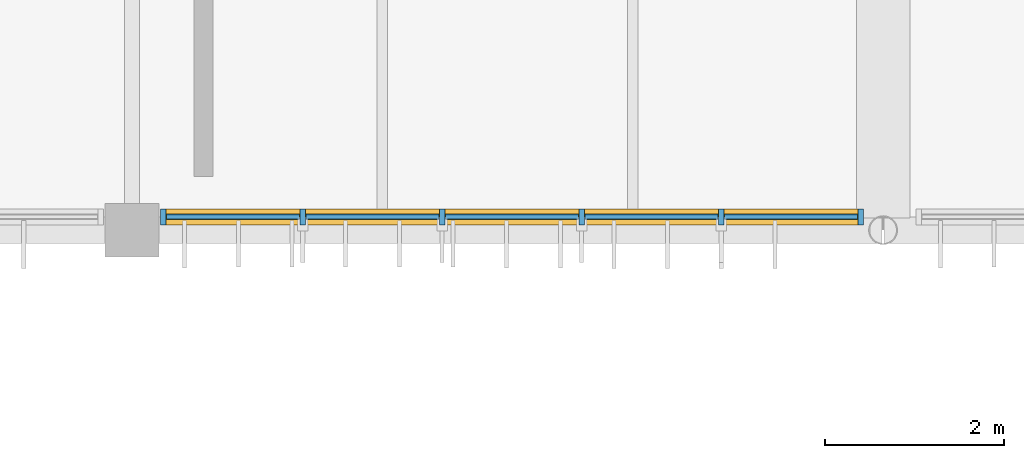
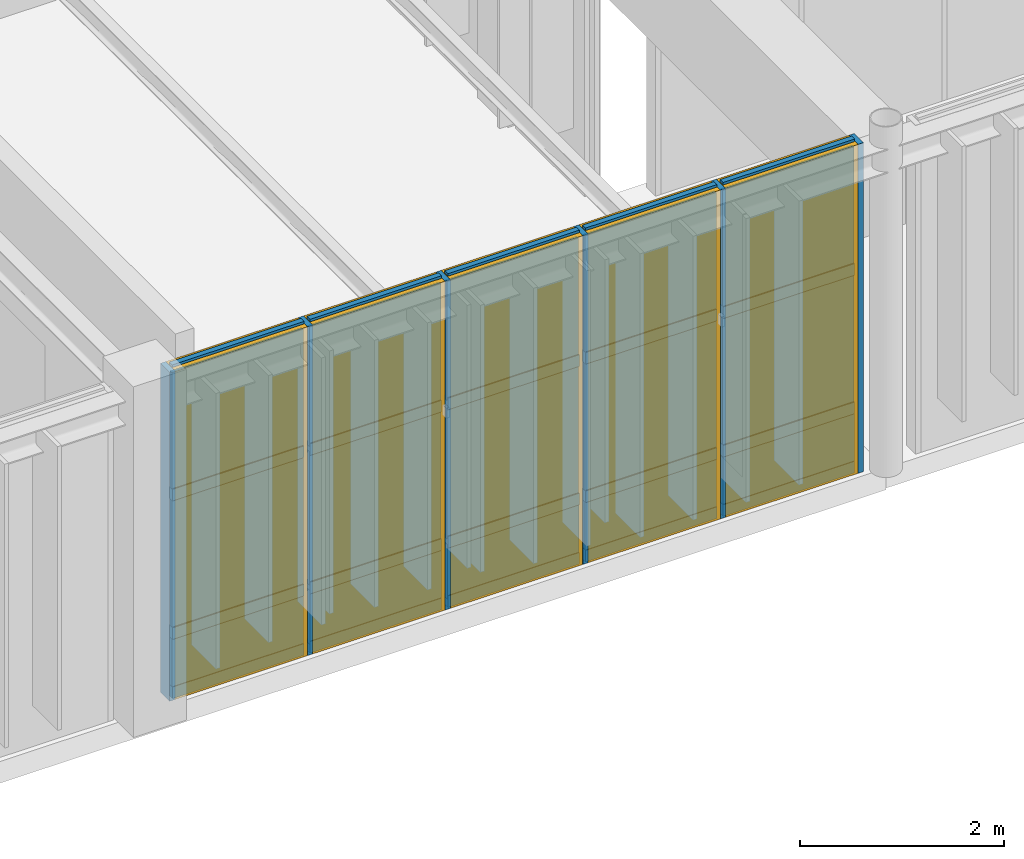
# One storey, part 68 of 122: 26 members, 15 plates, 1 curtain wall.
"""IFC4 building model written with IfcOpenShell, lengths in metres."""

from ifc_helpers import new_model, si_unit, direction, frame, frame_2d, origin, origin_2d, place, context, subcontext, project, spatial, rectangle, extrude, material, layer, layer_set, material_profile, profile_set, type_object, element, aggregate, save


model = new_model("IFC4")

# Units and contexts
model_context = context("Model", 3, precision=1e-05, world=origin(), true_north=direction((0.0, 1.0)))
body_context = subcontext(model_context, "Body", "Model", "MODEL_VIEW")
ifc_project = project(units=[si_unit("LENGTHUNIT", "METRE"), si_unit("AREAUNIT", "SQUARE_METRE"), si_unit("VOLUMEUNIT", "CUBIC_METRE"), si_unit("PLANEANGLEUNIT", "RADIAN"), si_unit("MASSUNIT", "GRAM", prefix="KILO")], contexts=[model_context])

# Member
ifc_material_1 = material(Name="Anodised Bronze Aluminium 6063-T6", Category="aluminium")
ifc_material_profile_1 = material_profile(ifc_material_1, rectangle(XDim=0.06005859375, YDim=0.179931640625, at=origin_2d()), Name="ALU MULLION 60x180")
ifc_profile_set_1 = profile_set([ifc_material_profile_1], Name="Anodised Bronze Aluminium 6063-T6")
member_type_1 = type_object("IfcMemberType", Name="Curtain-Wall Primary Mullion 60x180", PredefinedType="MULLION", material=ifc_profile_set_1)
site_placement = place(None, origin())
building_placement = place(site_placement, origin())
storey_placement = place(building_placement, frame((0.0, 0.0, 4.800048828125)))
member_1_placement = place(storey_placement, frame((19.550048828125, 44.75, 0.0), z_axis=(0.0, 0.0, 1.0), x_axis=(1.0, 0.0, 0.0)))
member_1 = element("IfcMember", 1, at=member_1_placement, type_object=member_type_1, Name="Mullion CWM-01 CW-V6-S-L01-B3-M01", PredefinedType="MULLION", context=body_context, shape_type="SweptSolid", body=[
    extrude(rectangle(XDim=0.06005859375, YDim=0.179931640625, at=origin_2d()), origin(), (0.0, 0.0, 1.0), 3.93994140625),
])

member_2_placement = place(storey_placement, frame((21.110107421875, 44.75, 0.0), z_axis=(0.0, 0.0, 1.0), x_axis=(1.0, 0.0, 0.0)))
member_2 = element("IfcMember", 2, at=member_2_placement, type_object=member_type_1, Name="Mullion CWM-01 CW-V6-S-L01-B3-M02", PredefinedType="MULLION", context=body_context, shape_type="SweptSolid", body=[
    extrude(rectangle(XDim=0.06005859375, YDim=0.179931640625, at=origin_2d()), origin(), (0.0, 0.0, 1.0), 3.93994140625),
])

member_3_placement = place(storey_placement, frame((22.669921875, 44.75, 0.0), z_axis=(0.0, 0.0, 1.0), x_axis=(1.0, 0.0, 0.0)))
member_3 = element("IfcMember", 3, at=member_3_placement, type_object=member_type_1, Name="Mullion CWM-01 CW-V6-S-L01-B3-M03", PredefinedType="MULLION", context=body_context, shape_type="SweptSolid", body=[
    extrude(rectangle(XDim=0.06005859375, YDim=0.179931640625, at=origin_2d()), origin(), (0.0, 0.0, 1.0), 3.93994140625),
])

member_4_placement = place(storey_placement, frame((24.22998046875, 44.75, 0.0), z_axis=(0.0, 0.0, 1.0), x_axis=(1.0, 0.0, 0.0)))
member_4 = element("IfcMember", 4, at=member_4_placement, type_object=member_type_1, Name="Mullion CWM-01 CW-V6-S-L01-B3-M04", PredefinedType="MULLION", context=body_context, shape_type="SweptSolid", body=[
    extrude(rectangle(XDim=0.06005859375, YDim=0.179931640625, at=origin_2d()), origin(), (0.0, 0.0, 1.0), 3.93994140625),
])

member_5_placement = place(storey_placement, frame((25.7900390625, 44.75, 0.0), z_axis=(0.0, 0.0, 1.0), x_axis=(1.0, 0.0, 0.0)))
member_5 = element("IfcMember", 5, at=member_5_placement, type_object=member_type_1, Name="Mullion CWM-01 CW-V6-S-L01-B3-M05", PredefinedType="MULLION", context=body_context, shape_type="SweptSolid", body=[
    extrude(rectangle(XDim=0.06005859375, YDim=0.179931640625, at=origin_2d()), origin(), (0.0, 0.0, 1.0), 3.93994140625),
])

member_6_placement = place(storey_placement, frame((27.35009765625, 44.75, 0.0), z_axis=(0.0, 0.0, 1.0), x_axis=(1.0, 0.0, 0.0)))
member_6 = element("IfcMember", 6, at=member_6_placement, type_object=member_type_1, Name="Mullion CWM-01 CW-V6-S-L01-B3-M06", PredefinedType="MULLION", context=body_context, shape_type="SweptSolid", body=[
    extrude(rectangle(XDim=0.06005859375, YDim=0.179931640625, at=origin_2d()), origin(), (0.0, 0.0, 1.0), 3.93994140625),
])

ifc_material_profile_2 = material_profile(ifc_material_1, rectangle(XDim=0.06005859375, YDim=0.139892578125, at=origin_2d()), Name="ALU TRANSOM 60x140")
ifc_profile_set_2 = profile_set([ifc_material_profile_2], Name="Anodised Bronze Aluminium 6063-T6")
member_type_2 = type_object("IfcMemberType", Name="Curtain-Wall Transom 60x140", PredefinedType="USERDEFINED", material=ifc_profile_set_2)
member_7_placement = place(storey_placement, frame((19.5849609375, 44.75, 0.0400390625), z_axis=(1.0, 0.0, 0.0), x_axis=(0.0, 1.0, 0.0)))
member_7 = element("IfcMember", 7, at=member_7_placement, type_object=member_type_2, Name="Transom CWT-01 CW-V6-S-L01-B3-T01.1", ObjectType="TRANSOM", PredefinedType="USERDEFINED", context=body_context, shape_type="SweptSolid", body=[
    extrude(rectangle(XDim=0.06005859375, YDim=0.139892578125, at=origin_2d()), origin(), (0.0, 0.0, 1.0), 1.489990234375),
])

member_8_placement = place(storey_placement, frame((19.5849609375, 44.75, 0.75), z_axis=(1.0, 0.0, 0.0), x_axis=(0.0, 1.0, 0.0)))
member_8 = element("IfcMember", 8, at=member_8_placement, type_object=member_type_2, Name="Transom CWT-01 CW-V6-S-L01-B3-T01.2", ObjectType="TRANSOM", PredefinedType="USERDEFINED", context=body_context, shape_type="SweptSolid", body=[
    extrude(rectangle(XDim=0.06005859375, YDim=0.139892578125, at=origin_2d()), origin(), (0.0, 0.0, 1.0), 1.489990234375),
])

member_9_placement = place(storey_placement, frame((19.5849609375, 44.75, 2.40869140625), z_axis=(1.0, 0.0, 0.0), x_axis=(0.0, 1.0, 0.0)))
member_9 = element("IfcMember", 9, at=member_9_placement, type_object=member_type_2, Name="Transom CWT-01 CW-V6-S-L01-B3-T01.3", ObjectType="TRANSOM", PredefinedType="USERDEFINED", context=body_context, shape_type="SweptSolid", body=[
    extrude(rectangle(XDim=0.06005859375, YDim=0.139892578125, at=origin_2d()), origin(), (0.0, 0.0, 1.0), 1.489990234375),
])

member_10_placement = place(storey_placement, frame((19.5849609375, 44.75, 3.89990234375), z_axis=(1.0, 0.0, 0.0), x_axis=(0.0, 1.0, 0.0)))
member_10 = element("IfcMember", 10, at=member_10_placement, type_object=member_type_2, Name="Transom CWT-01 CW-V6-S-L01-B3-T01.4", ObjectType="TRANSOM", PredefinedType="USERDEFINED", context=body_context, shape_type="SweptSolid", body=[
    extrude(rectangle(XDim=0.06005859375, YDim=0.139892578125, at=origin_2d()), origin(), (0.0, 0.0, 1.0), 1.489990234375),
])

member_11_placement = place(storey_placement, frame((21.14501953125, 44.75, 0.0400390625), z_axis=(1.0, 0.0, 0.0), x_axis=(0.0, 1.0, 0.0)))
member_11 = element("IfcMember", 11, at=member_11_placement, type_object=member_type_2, Name="Transom CWT-01 CW-V6-S-L01-B3-T02.1", ObjectType="TRANSOM", PredefinedType="USERDEFINED", context=body_context, shape_type="SweptSolid", body=[
    extrude(rectangle(XDim=0.06005859375, YDim=0.139892578125, at=origin_2d()), origin(), (0.0, 0.0, 1.0), 1.489990234375),
])

member_12_placement = place(storey_placement, frame((21.14501953125, 44.75, 0.75), z_axis=(1.0, 0.0, 0.0), x_axis=(0.0, 1.0, 0.0)))
member_12 = element("IfcMember", 12, at=member_12_placement, type_object=member_type_2, Name="Transom CWT-01 CW-V6-S-L01-B3-T02.2", ObjectType="TRANSOM", PredefinedType="USERDEFINED", context=body_context, shape_type="SweptSolid", body=[
    extrude(rectangle(XDim=0.06005859375, YDim=0.139892578125, at=origin_2d()), origin(), (0.0, 0.0, 1.0), 1.489990234375),
])

member_13_placement = place(storey_placement, frame((21.14501953125, 44.75, 2.40869140625), z_axis=(1.0, 0.0, 0.0), x_axis=(0.0, 1.0, 0.0)))
member_13 = element("IfcMember", 13, at=member_13_placement, type_object=member_type_2, Name="Transom CWT-01 CW-V6-S-L01-B3-T02.3", ObjectType="TRANSOM", PredefinedType="USERDEFINED", context=body_context, shape_type="SweptSolid", body=[
    extrude(rectangle(XDim=0.06005859375, YDim=0.139892578125, at=origin_2d()), origin(), (0.0, 0.0, 1.0), 1.489990234375),
])

member_14_placement = place(storey_placement, frame((21.14501953125, 44.75, 3.89990234375), z_axis=(1.0, 0.0, 0.0), x_axis=(0.0, 1.0, 0.0)))
member_14 = element("IfcMember", 14, at=member_14_placement, type_object=member_type_2, Name="Transom CWT-01 CW-V6-S-L01-B3-T02.4", ObjectType="TRANSOM", PredefinedType="USERDEFINED", context=body_context, shape_type="SweptSolid", body=[
    extrude(rectangle(XDim=0.06005859375, YDim=0.139892578125, at=origin_2d()), origin(), (0.0, 0.0, 1.0), 1.489990234375),
])

member_15_placement = place(storey_placement, frame((22.705078125, 44.75, 0.0400390625), z_axis=(1.0, 0.0, 0.0), x_axis=(0.0, 1.0, 0.0)))
member_15 = element("IfcMember", 15, at=member_15_placement, type_object=member_type_2, Name="Transom CWT-01 CW-V6-S-L01-B3-T03.1", ObjectType="TRANSOM", PredefinedType="USERDEFINED", context=body_context, shape_type="SweptSolid", body=[
    extrude(rectangle(XDim=0.06005859375, YDim=0.139892578125, at=origin_2d()), origin(), (0.0, 0.0, 1.0), 1.489990234375),
])

member_16_placement = place(storey_placement, frame((22.705078125, 44.75, 0.75), z_axis=(1.0, 0.0, 0.0), x_axis=(0.0, 1.0, 0.0)))
member_16 = element("IfcMember", 16, at=member_16_placement, type_object=member_type_2, Name="Transom CWT-01 CW-V6-S-L01-B3-T03.2", ObjectType="TRANSOM", PredefinedType="USERDEFINED", context=body_context, shape_type="SweptSolid", body=[
    extrude(rectangle(XDim=0.06005859375, YDim=0.139892578125, at=origin_2d()), origin(), (0.0, 0.0, 1.0), 1.489990234375),
])

member_17_placement = place(storey_placement, frame((22.705078125, 44.75, 2.40869140625), z_axis=(1.0, 0.0, 0.0), x_axis=(0.0, 1.0, 0.0)))
member_17 = element("IfcMember", 17, at=member_17_placement, type_object=member_type_2, Name="Transom CWT-01 CW-V6-S-L01-B3-T03.3", ObjectType="TRANSOM", PredefinedType="USERDEFINED", context=body_context, shape_type="SweptSolid", body=[
    extrude(rectangle(XDim=0.06005859375, YDim=0.139892578125, at=origin_2d()), origin(), (0.0, 0.0, 1.0), 1.489990234375),
])

member_18_placement = place(storey_placement, frame((22.705078125, 44.75, 3.89990234375), z_axis=(1.0, 0.0, 0.0), x_axis=(0.0, 1.0, 0.0)))
member_18 = element("IfcMember", 18, at=member_18_placement, type_object=member_type_2, Name="Transom CWT-01 CW-V6-S-L01-B3-T03.4", ObjectType="TRANSOM", PredefinedType="USERDEFINED", context=body_context, shape_type="SweptSolid", body=[
    extrude(rectangle(XDim=0.06005859375, YDim=0.139892578125, at=origin_2d()), origin(), (0.0, 0.0, 1.0), 1.489990234375),
])

member_19_placement = place(storey_placement, frame((24.264892578125, 44.75, 0.0400390625), z_axis=(1.0, 0.0, 0.0), x_axis=(0.0, 1.0, 0.0)))
member_19 = element("IfcMember", 19, at=member_19_placement, type_object=member_type_2, Name="Transom CWT-01 CW-V6-S-L01-B3-T04.1", ObjectType="TRANSOM", PredefinedType="USERDEFINED", context=body_context, shape_type="SweptSolid", body=[
    extrude(rectangle(XDim=0.06005859375, YDim=0.139892578125, at=origin_2d()), origin(), (0.0, 0.0, 1.0), 1.489990234375),
])

member_20_placement = place(storey_placement, frame((24.264892578125, 44.75, 0.75), z_axis=(1.0, 0.0, 0.0), x_axis=(0.0, 1.0, 0.0)))
member_20 = element("IfcMember", 20, at=member_20_placement, type_object=member_type_2, Name="Transom CWT-01 CW-V6-S-L01-B3-T04.2", ObjectType="TRANSOM", PredefinedType="USERDEFINED", context=body_context, shape_type="SweptSolid", body=[
    extrude(rectangle(XDim=0.06005859375, YDim=0.139892578125, at=origin_2d()), origin(), (0.0, 0.0, 1.0), 1.489990234375),
])

member_21_placement = place(storey_placement, frame((24.264892578125, 44.75, 2.40869140625), z_axis=(1.0, 0.0, 0.0), x_axis=(0.0, 1.0, 0.0)))
member_21 = element("IfcMember", 21, at=member_21_placement, type_object=member_type_2, Name="Transom CWT-01 CW-V6-S-L01-B3-T04.3", ObjectType="TRANSOM", PredefinedType="USERDEFINED", context=body_context, shape_type="SweptSolid", body=[
    extrude(rectangle(XDim=0.06005859375, YDim=0.139892578125, at=origin_2d()), origin(), (0.0, 0.0, 1.0), 1.489990234375),
])

member_22_placement = place(storey_placement, frame((24.264892578125, 44.75, 3.89990234375), z_axis=(1.0, 0.0, 0.0), x_axis=(0.0, 1.0, 0.0)))
member_22 = element("IfcMember", 22, at=member_22_placement, type_object=member_type_2, Name="Transom CWT-01 CW-V6-S-L01-B3-T04.4", ObjectType="TRANSOM", PredefinedType="USERDEFINED", context=body_context, shape_type="SweptSolid", body=[
    extrude(rectangle(XDim=0.06005859375, YDim=0.139892578125, at=origin_2d()), origin(), (0.0, 0.0, 1.0), 1.489990234375),
])

member_23_placement = place(storey_placement, frame((25.824951171875, 44.75, 0.0400390625), z_axis=(1.0, 0.0, 0.0), x_axis=(0.0, 1.0, 0.0)))
member_23 = element("IfcMember", 23, at=member_23_placement, type_object=member_type_2, Name="Transom CWT-01 CW-V6-S-L01-B3-T05.1", ObjectType="TRANSOM", PredefinedType="USERDEFINED", context=body_context, shape_type="SweptSolid", body=[
    extrude(rectangle(XDim=0.06005859375, YDim=0.139892578125, at=origin_2d()), origin(), (0.0, 0.0, 1.0), 1.489990234375),
])

member_24_placement = place(storey_placement, frame((25.824951171875, 44.75, 0.75), z_axis=(1.0, 0.0, 0.0), x_axis=(0.0, 1.0, 0.0)))
member_24 = element("IfcMember", 24, at=member_24_placement, type_object=member_type_2, Name="Transom CWT-01 CW-V6-S-L01-B3-T05.2", ObjectType="TRANSOM", PredefinedType="USERDEFINED", context=body_context, shape_type="SweptSolid", body=[
    extrude(rectangle(XDim=0.06005859375, YDim=0.139892578125, at=origin_2d()), origin(), (0.0, 0.0, 1.0), 1.489990234375),
])

member_25_placement = place(storey_placement, frame((25.824951171875, 44.75, 2.40869140625), z_axis=(1.0, 0.0, 0.0), x_axis=(0.0, 1.0, 0.0)))
member_25 = element("IfcMember", 25, at=member_25_placement, type_object=member_type_2, Name="Transom CWT-01 CW-V6-S-L01-B3-T05.3", ObjectType="TRANSOM", PredefinedType="USERDEFINED", context=body_context, shape_type="SweptSolid", body=[
    extrude(rectangle(XDim=0.06005859375, YDim=0.139892578125, at=origin_2d()), origin(), (0.0, 0.0, 1.0), 1.489990234375),
])

member_26_placement = place(storey_placement, frame((25.824951171875, 44.75, 3.89990234375), z_axis=(1.0, 0.0, 0.0), x_axis=(0.0, 1.0, 0.0)))
member_26 = element("IfcMember", 26, at=member_26_placement, type_object=member_type_2, Name="Transom CWT-01 CW-V6-S-L01-B3-T05.4", ObjectType="TRANSOM", PredefinedType="USERDEFINED", context=body_context, shape_type="SweptSolid", body=[
    extrude(rectangle(XDim=0.06005859375, YDim=0.139892578125, at=origin_2d()), origin(), (0.0, 0.0, 1.0), 1.489990234375),
])

# Plate
ifc_material_2 = material(Name="Insulated Bronze Aluminium Spandrel Panel", Category="aluminium")
ifc_layer_1 = layer(ifc_material_2, 0.050048828125, Name="Insulated Bronze Aluminium Spandrel Panel")
ifc_layer_set_1 = layer_set([ifc_layer_1], Name="Insulated Bronze Aluminium Spandrel Panel")
plate_type_1 = type_object("IfcPlateType", Name="Insulated Anodised Aluminium Spandrel Cassette 50", PredefinedType="CURTAIN_PANEL", material=ifc_layer_set_1)
plate_1_placement = place(storey_placement, frame((20.330078125, 44.75, 0.070068359375), z_axis=(0.0, 0.0, 1.0), x_axis=(1.0, 0.0, 0.0)))
plate_1 = element("IfcPlate", 27, at=plate_1_placement, type_object=plate_type_1, Name="Curtain Panel CWP-03 CW-V6-S-L01-B3-P01.1", PredefinedType="CURTAIN_PANEL", context=body_context, shape_type="SweptSolid", body=[
    extrude(rectangle(XDim=1.489990234375, YDim=0.050048828125, at=origin_2d()), origin(), (0.0, 0.0, 1.0), 0.64990234375),
])

plate_2_placement = place(storey_placement, frame((21.889892578125, 44.75, 0.070068359375), z_axis=(0.0, 0.0, 1.0), x_axis=(1.0, 0.0, 0.0)))
plate_2 = element("IfcPlate", 28, at=plate_2_placement, type_object=plate_type_1, Name="Curtain Panel CWP-03 CW-V6-S-L01-B3-P02.1", PredefinedType="CURTAIN_PANEL", context=body_context, shape_type="SweptSolid", body=[
    extrude(rectangle(XDim=1.489990234375, YDim=0.050048828125, at=origin_2d()), origin(), (0.0, 0.0, 1.0), 0.64990234375),
])

plate_3_placement = place(storey_placement, frame((23.449951171875, 44.75, 0.070068359375), z_axis=(0.0, 0.0, 1.0), x_axis=(1.0, 0.0, 0.0)))
plate_3 = element("IfcPlate", 29, at=plate_3_placement, type_object=plate_type_1, Name="Curtain Panel CWP-03 CW-V6-S-L01-B3-P03.1", PredefinedType="CURTAIN_PANEL", context=body_context, shape_type="SweptSolid", body=[
    extrude(rectangle(XDim=1.489990234375, YDim=0.050048828125, at=origin_2d()), origin(), (0.0, 0.0, 1.0), 0.64990234375),
])

plate_4_placement = place(storey_placement, frame((25.010009765625, 44.75, 0.070068359375), z_axis=(0.0, 0.0, 1.0), x_axis=(1.0, 0.0, 0.0)))
plate_4 = element("IfcPlate", 30, at=plate_4_placement, type_object=plate_type_1, Name="Curtain Panel CWP-03 CW-V6-S-L01-B3-P04.1", PredefinedType="CURTAIN_PANEL", context=body_context, shape_type="SweptSolid", body=[
    extrude(rectangle(XDim=1.489990234375, YDim=0.050048828125, at=origin_2d()), origin(), (0.0, 0.0, 1.0), 0.64990234375),
])

plate_5_placement = place(storey_placement, frame((26.570068359375, 44.75, 0.070068359375), z_axis=(0.0, 0.0, 1.0), x_axis=(1.0, 0.0, 0.0)))
plate_5 = element("IfcPlate", 31, at=plate_5_placement, type_object=plate_type_1, Name="Curtain Panel CWP-03 CW-V6-S-L01-B3-P05.1", PredefinedType="CURTAIN_PANEL", context=body_context, shape_type="SweptSolid", body=[
    extrude(rectangle(XDim=1.489990234375, YDim=0.050048828125, at=origin_2d()), origin(), (0.0, 0.0, 1.0), 0.64990234375),
])

ifc_material_3 = material(Name="Solar-Control Tempered Double Glazing", Category="glass")
ifc_layer_2 = layer(ifc_material_3, 0.0380859375, Name="Solar-Control Tempered Double Glazing")
ifc_layer_set_2 = layer_set([ifc_layer_2], Name="Solar-Control Tempered Double Glazing")
plate_type_2 = type_object("IfcPlateType", Name="Solar-Control Vision Glazing Unit 38", PredefinedType="CURTAIN_PANEL", material=ifc_layer_set_2)
plate_6_placement = place(storey_placement, frame((20.330078125, 44.75, 0.77978515625), z_axis=(0.0, 0.0, 1.0), x_axis=(1.0, 0.0, 0.0)))
plate_6 = element("IfcPlate", 32, at=plate_6_placement, type_object=plate_type_2, Name="Curtain Panel CWP-02 CW-V6-S-L01-B3-P01.2", PredefinedType="CURTAIN_PANEL", context=body_context, shape_type="SweptSolid", body=[
    extrude(rectangle(XDim=1.489990234375, YDim=0.0380859375, at=origin_2d()), origin(), (0.0, 0.0, 1.0), 1.598876953125),
])

plate_7_placement = place(storey_placement, frame((20.330078125, 44.75, 2.438720703125), z_axis=(0.0, 0.0, 1.0), x_axis=(1.0, 0.0, 0.0)))
plate_7 = element("IfcPlate", 33, at=plate_7_placement, type_object=plate_type_2, Name="Curtain Panel CWP-02 CW-V6-S-L01-B3-P01.3", PredefinedType="CURTAIN_PANEL", context=body_context, shape_type="SweptSolid", body=[
    extrude(rectangle(XDim=1.489990234375, YDim=0.0380859375, at=origin_2d()), origin(), (0.0, 0.0, 1.0), 1.43115234375),
])

plate_8_placement = place(storey_placement, frame((21.889892578125, 44.75, 0.77978515625), z_axis=(0.0, 0.0, 1.0), x_axis=(1.0, 0.0, 0.0)))
plate_8 = element("IfcPlate", 34, at=plate_8_placement, type_object=plate_type_2, Name="Curtain Panel CWP-02 CW-V6-S-L01-B3-P02.2", PredefinedType="CURTAIN_PANEL", context=body_context, shape_type="SweptSolid", body=[
    extrude(rectangle(XDim=1.489990234375, YDim=0.0380859375, at=origin_2d()), origin(), (0.0, 0.0, 1.0), 1.598876953125),
])

plate_9_placement = place(storey_placement, frame((21.889892578125, 44.75, 2.438720703125), z_axis=(0.0, 0.0, 1.0), x_axis=(1.0, 0.0, 0.0)))
plate_9 = element("IfcPlate", 35, at=plate_9_placement, type_object=plate_type_2, Name="Curtain Panel CWP-02 CW-V6-S-L01-B3-P02.3", PredefinedType="CURTAIN_PANEL", context=body_context, shape_type="SweptSolid", body=[
    extrude(rectangle(XDim=1.489990234375, YDim=0.0380859375, at=origin_2d()), origin(), (0.0, 0.0, 1.0), 1.43115234375),
])

plate_10_placement = place(storey_placement, frame((23.449951171875, 44.75, 0.77978515625), z_axis=(0.0, 0.0, 1.0), x_axis=(1.0, 0.0, 0.0)))
plate_10 = element("IfcPlate", 36, at=plate_10_placement, type_object=plate_type_2, Name="Curtain Panel CWP-02 CW-V6-S-L01-B3-P03.2", PredefinedType="CURTAIN_PANEL", context=body_context, shape_type="SweptSolid", body=[
    extrude(rectangle(XDim=1.489990234375, YDim=0.0380859375, at=origin_2d()), origin(), (0.0, 0.0, 1.0), 1.598876953125),
])

plate_11_placement = place(storey_placement, frame((23.449951171875, 44.75, 2.438720703125), z_axis=(0.0, 0.0, 1.0), x_axis=(1.0, 0.0, 0.0)))
plate_11 = element("IfcPlate", 37, at=plate_11_placement, type_object=plate_type_2, Name="Curtain Panel CWP-02 CW-V6-S-L01-B3-P03.3", PredefinedType="CURTAIN_PANEL", context=body_context, shape_type="SweptSolid", body=[
    extrude(rectangle(XDim=1.489990234375, YDim=0.0380859375, at=origin_2d()), origin(), (0.0, 0.0, 1.0), 1.43115234375),
])

plate_12_placement = place(storey_placement, frame((25.010009765625, 44.75, 0.77978515625), z_axis=(0.0, 0.0, 1.0), x_axis=(1.0, 0.0, 0.0)))
plate_12 = element("IfcPlate", 38, at=plate_12_placement, type_object=plate_type_2, Name="Curtain Panel CWP-02 CW-V6-S-L01-B3-P04.2", PredefinedType="CURTAIN_PANEL", context=body_context, shape_type="SweptSolid", body=[
    extrude(rectangle(XDim=1.489990234375, YDim=0.0380859375, at=origin_2d()), origin(), (0.0, 0.0, 1.0), 1.598876953125),
])

plate_13_placement = place(storey_placement, frame((25.010009765625, 44.75, 2.438720703125), z_axis=(0.0, 0.0, 1.0), x_axis=(1.0, 0.0, 0.0)))
plate_13 = element("IfcPlate", 39, at=plate_13_placement, type_object=plate_type_2, Name="Curtain Panel CWP-02 CW-V6-S-L01-B3-P04.3", PredefinedType="CURTAIN_PANEL", context=body_context, shape_type="SweptSolid", body=[
    extrude(rectangle(XDim=1.489990234375, YDim=0.0380859375, at=origin_2d()), origin(), (0.0, 0.0, 1.0), 1.43115234375),
])

plate_14_placement = place(storey_placement, frame((26.570068359375, 44.75, 0.77978515625), z_axis=(0.0, 0.0, 1.0), x_axis=(1.0, 0.0, 0.0)))
plate_14 = element("IfcPlate", 40, at=plate_14_placement, type_object=plate_type_2, Name="Curtain Panel CWP-02 CW-V6-S-L01-B3-P05.2", PredefinedType="CURTAIN_PANEL", context=body_context, shape_type="SweptSolid", body=[
    extrude(rectangle(XDim=1.489990234375, YDim=0.0380859375, at=origin_2d()), origin(), (0.0, 0.0, 1.0), 1.598876953125),
])

plate_15_placement = place(storey_placement, frame((26.570068359375, 44.75, 2.438720703125), z_axis=(0.0, 0.0, 1.0), x_axis=(1.0, 0.0, 0.0)))
plate_15 = element("IfcPlate", 41, at=plate_15_placement, type_object=plate_type_2, Name="Curtain Panel CWP-02 CW-V6-S-L01-B3-P05.3", PredefinedType="CURTAIN_PANEL", context=body_context, shape_type="SweptSolid", body=[
    extrude(rectangle(XDim=1.489990234375, YDim=0.0380859375, at=origin_2d()), origin(), (0.0, 0.0, 1.0), 1.43115234375),
])

# Site, building, storey
site = spatial("IfcSite", under=ifc_project, at=site_placement, CompositionType="ELEMENT")
building = spatial("IfcBuilding", under=site, at=building_placement, Name="Tazoul Stagehouse", CompositionType="ELEMENT")
storey = spatial("IfcBuildingStorey", under=building, at=storey_placement, Name="L01", CompositionType="ELEMENT", Elevation=4.800048828125)

# Curtain wall
curtain_wall_type = type_object("IfcCurtainWallType", Name="Foyer Clear Solar-Control Curtain Wall", PredefinedType="NOTDEFINED", material=ifc_material_1)
curtain_wall_placement = place(storey_placement, frame((19.550048828125, 44.75, 0.0), z_axis=(0.0, 0.0, 1.0), x_axis=(1.0, 0.0, 0.0)))
curtain_wall = element("IfcCurtainWall", 42, at=curtain_wall_placement, inside=storey, type_object=curtain_wall_type, Name="L01 Curtain Wall CW-02 (CW-V6-S-L01-B3)", PredefinedType="NOTDEFINED", context=body_context, shape_type="SweptSolid", body=[
    extrude(rectangle(XDim=7.800048828125, YDim=0.179931640625, at=frame_2d((3.89990234375, 0.0))), origin(), (0.0, 0.0, 1.0), 3.93994140625),
])

aggregate(curtain_wall, [member_1, member_2, member_3, member_4, member_5, member_6, member_7, member_8, member_9, member_10, plate_1, plate_6, plate_7, member_11, member_12, member_13, member_14, plate_2, plate_8, plate_9, member_15, member_16, member_17, member_18, plate_3, plate_10, plate_11, member_19, member_20, member_21, member_22, plate_4, plate_12, plate_13, member_23, member_24, member_25, member_26, plate_5, plate_14, plate_15])

save(model, "model.ifc")
